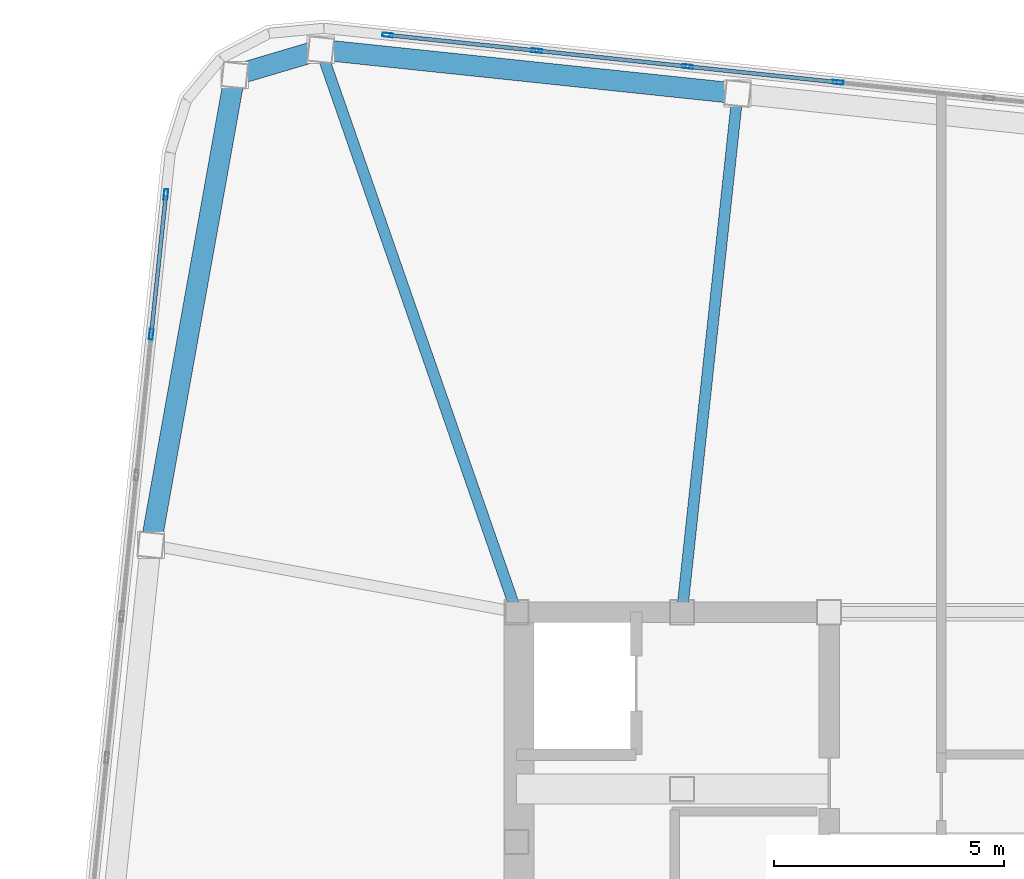
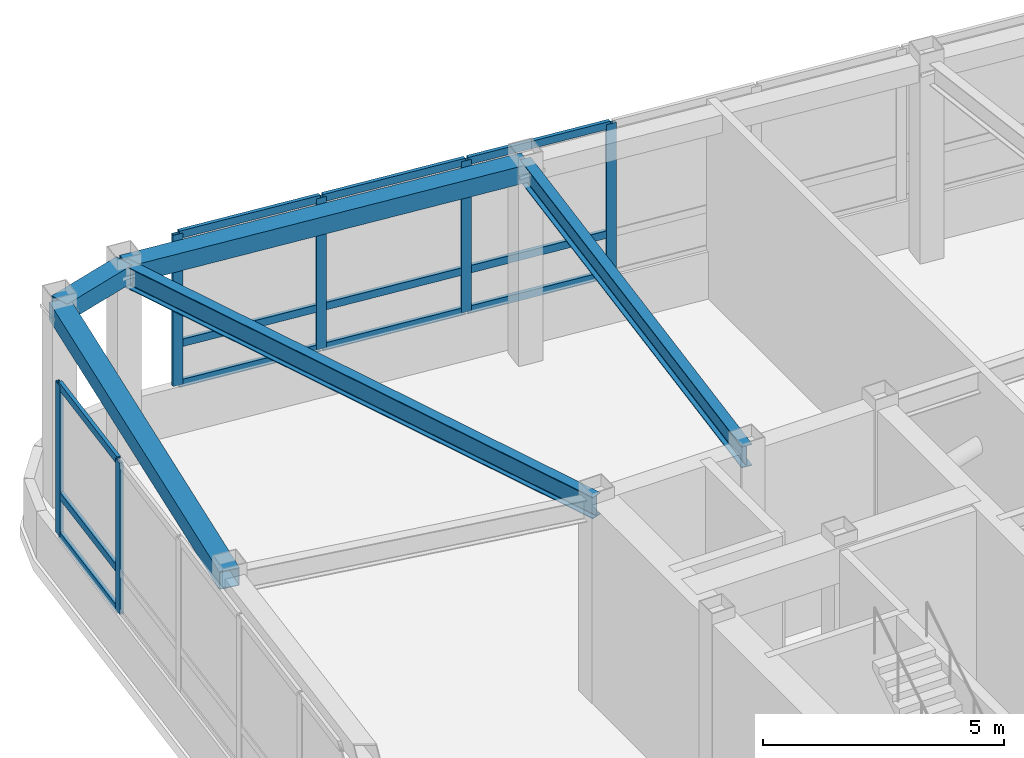
# One storey, part 14 of 23: 18 members, 5 beams, 2 elements without a shape of their own.
"""IFC4 building model written with IfcOpenShell, lengths in metres."""

from ifc_helpers import new_model, si_unit, direction, frame, origin, origin_2d, place, context, subcontext, project, spatial, hollow_rectangle, i_section, extrude, material, layer, layer_set, material_profile, profile_set, type_object, element, aggregate, save


model = new_model("IFC4")

# Units and contexts
model_context = context("Model", 3, precision=1e-05, world=origin(), true_north=direction((0.0, 1.0)))
body_context = subcontext(model_context, "Body", "Model", "MODEL_VIEW")
ifc_project = project(units=[si_unit("LENGTHUNIT", "METRE"), si_unit("AREAUNIT", "SQUARE_METRE"), si_unit("VOLUMEUNIT", "CUBIC_METRE"), si_unit("PLANEANGLEUNIT", "RADIAN"), si_unit("MASSUNIT", "GRAM", prefix="KILO")], contexts=[model_context])

# Site, building, storey
site_placement = place(None, origin())
site = spatial("IfcSite", under=ifc_project, at=site_placement, CompositionType="ELEMENT")
building_placement = place(site_placement, origin())
building = spatial("IfcBuilding", under=site, at=building_placement, Name="Voryun Gate Residences", CompositionType="ELEMENT")
storey_placement = place(building_placement, frame((0.0, 0.0, 331.89990234375)))
storey = spatial("IfcBuildingStorey", under=building, at=storey_placement, Name="L81", CompositionType="ELEMENT", Elevation=331.89990234375)

# Beams
ifc_material_1 = material(Name="Steel SM355", Category="steel")
ifc_material_profile_1 = material_profile(ifc_material_1, hollow_rectangle(XDim=0.449951171875, YDim=0.449951171875, WallThickness=0.01806640625, at=origin_2d()), Name="BOX-450x450x18")
ifc_profile_set_1 = profile_set([ifc_material_profile_1], Name="Steel SM355")
beam_type_1 = type_object("IfcBeamType", Name="BM_CROWN_RING", PredefinedType="BEAM", material=ifc_profile_set_1)
beam_1_placement = place(storey_placement, frame((-14.3916015625, 18.684814453125, 4.800048828125), z_axis=(-0.994520844313, 0.104538462908, 0.0), x_axis=(-0.104538462908, -0.994520844313, 0.0)))
element("IfcBeam", 1, at=beam_1_placement, inside=storey, type_object=beam_type_1, Name="BM-L81-SPAND-15", PredefinedType="BEAM", context=body_context, shape_type="SweptSolid", body=[
    extrude(hollow_rectangle(XDim=0.449951171875, YDim=0.449951171875, WallThickness=0.01806640625, at=origin_2d()), origin(), (0.0, 0.0, 1.0), 9.119873046875),
])
beam_2_placement = place(storey_placement, frame((-23.46142578125, 19.63818359375, 4.800048828125), z_axis=(-0.958835963288, -0.283960552728, 0.0), x_axis=(0.283960552728, -0.958835963288, 0.0)))
element("IfcBeam", 2, at=beam_2_placement, inside=storey, type_object=beam_type_1, Name="BM-L81-SPAND-16", PredefinedType="BEAM", context=body_context, shape_type="SweptSolid", body=[
    extrude(hollow_rectangle(XDim=0.449951171875, YDim=0.449951171875, WallThickness=0.01806640625, at=origin_2d()), origin(), (0.0, 0.0, 1.0), 1.95166015625),
])
beam_3_placement = place(storey_placement, frame((-25.332763671875, 19.083984375, 4.800048828125), z_axis=(-0.175791452213, -0.984427430199, 0.0), x_axis=(0.984427430199, -0.175791452213, 0.0)))
element("IfcBeam", 3, at=beam_3_placement, inside=storey, type_object=beam_type_1, Name="BM-L81-SPAND-17", PredefinedType="BEAM", context=body_context, shape_type="SweptSolid", body=[
    extrude(hollow_rectangle(XDim=0.449951171875, YDim=0.449951171875, WallThickness=0.01806640625, at=origin_2d()), origin(), (0.0, 0.0, 1.0), 10.384033203125),
])
ifc_material_2 = material(Name="Steel SM355", Category="steel")
ifc_material_profile_2 = material_profile(ifc_material_2, i_section(OverallWidth=0.239990234375, OverallDepth=0.550048828125, WebThickness=0.011962890625, FlangeThickness=0.02001953125, FilletRadius=0.01806640625, at=origin_2d()), Name="H-550x240x12x20")
ifc_profile_set_2 = profile_set([ifc_material_profile_2], Name="Steel SM355")
beam_type_2 = type_object("IfcBeamType", Name="BM_GIRD_550", PredefinedType="USERDEFINED", material=ifc_profile_set_2)
beam_4_placement = place(storey_placement, frame((-15.60009765625, 7.39990234375, 4.75), z_axis=(0.106480715232, 0.994314767709, 0.0), x_axis=(-0.994314767709, 0.106480715232, 0.0)))
element("IfcBeam", 4, at=beam_4_placement, inside=storey, type_object=beam_type_2, Name="BM-L81-RAD-N5", ObjectType="GIRDER", PredefinedType="USERDEFINED", context=body_context, shape_type="SweptSolid", body=[
    extrude(i_section(OverallWidth=0.239990234375, OverallDepth=0.550048828125, WebThickness=0.011962890625, FlangeThickness=0.02001953125, FilletRadius=0.01806640625, at=origin_2d()), origin(), (0.0, 0.0, 1.0), 11.349365234375),
])
beam_5_placement = place(storey_placement, frame((-19.199951171875, 7.39990234375, 4.75), z_axis=(-0.328842846436, 0.944384658043, 0.0), x_axis=(-0.944384658043, -0.328842846436, 0.0)))
element("IfcBeam", 5, at=beam_5_placement, inside=storey, type_object=beam_type_2, Name="BM-L81-RAD-N6", ObjectType="GIRDER", PredefinedType="USERDEFINED", context=body_context, shape_type="SweptSolid", body=[
    extrude(i_section(OverallWidth=0.239990234375, OverallDepth=0.550048828125, WebThickness=0.011962890625, FlangeThickness=0.02001953125, FilletRadius=0.01806640625, at=origin_2d()), origin(), (0.0, 0.0, 1.0), 12.958984375),
])

# Curtain wall, members
ifc_material_3 = material(Name="Anodised aluminium", Category="aluminium")
ifc_layer = layer(ifc_material_3, 0.22998046875, Name="CW_SYS_LANTERN_DARK_GLASS")
ifc_layer_set = layer_set([ifc_layer], Name="Anodised aluminium")
curtain_wall_type = type_object("IfcCurtainWallType", Name="CW_SYS_LANTERN_DARK_GLASS", PredefinedType="NOTDEFINED", material=ifc_layer_set)
curtain_wall_1_placement = place(storey_placement, origin())
curtain_wall_1 = element("IfcCurtainWall", 6, at=curtain_wall_1_placement, inside=storey, type_object=curtain_wall_type, Name="Curtain wall CW6-L81-06", PredefinedType="NOTDEFINED")
ifc_material_4 = material(Name="Anodised aluminium", Category="aluminium")
ifc_material_profile_3 = material_profile(ifc_material_4, hollow_rectangle(XDim=0.0849609375, YDim=0.22998046875, WallThickness=0.006103515625, at=origin_2d()), Name="ALU-MULL-230x85x6")
ifc_profile_set_3 = profile_set([ifc_material_profile_3], Name="Anodised aluminium")
member_type_1 = type_object("IfcMemberType", Name="CW_MULL_LANT", PredefinedType="MULLION", material=ifc_profile_set_3)
member_1_placement = place(storey_placement, frame((-27.14892578125, 13.447265625, 1.190185546875), z_axis=(0.0, 0.0, 1.0), x_axis=(-0.994521943608, 0.104528004296, 0.0)))
member_1 = element("IfcMember", 7, at=member_1_placement, type_object=member_type_1, Name="CW6 mullion 9", PredefinedType="MULLION", context=body_context, shape_type="SweptSolid", body=[
    extrude(hollow_rectangle(XDim=0.0849609375, YDim=0.22998046875, WallThickness=0.006103515625, at=origin_2d()), origin(), (0.0, 0.0, 1.0), 3.8349609375),
])
member_2_placement = place(storey_placement, frame((-26.829345703125, 16.48828125, 1.190185546875), z_axis=(0.0, 0.0, 1.0), x_axis=(-0.994521943608, 0.104528004296, 0.0)))
member_2 = element("IfcMember", 8, at=member_2_placement, type_object=member_type_1, Name="CW6 mullion 10", PredefinedType="MULLION", context=body_context, shape_type="SweptSolid", body=[
    extrude(hollow_rectangle(XDim=0.0849609375, YDim=0.22998046875, WallThickness=0.006103515625, at=origin_2d()), origin(), (0.0, 0.0, 1.0), 3.8349609375),
])

curtain_wall_2_placement = place(storey_placement, origin())
curtain_wall_2 = element("IfcCurtainWall", 9, at=curtain_wall_2_placement, inside=storey, type_object=curtain_wall_type, Name="Curtain wall CW6-L81-11", PredefinedType="NOTDEFINED")
member_3_placement = place(storey_placement, frame((-22.005615234375, 19.957763671875, 1.190185546875), z_axis=(0.0, 0.0, 1.0), x_axis=(0.10452775858, 0.994521969434, 0.0)))
member_3 = element("IfcMember", 10, at=member_3_placement, type_object=member_type_1, Name="CW6 mullion 1", PredefinedType="MULLION", context=body_context, shape_type="SweptSolid", body=[
    extrude(hollow_rectangle(XDim=0.0849609375, YDim=0.22998046875, WallThickness=0.006103515625, at=origin_2d()), origin(), (0.0, 0.0, 1.0), 3.8349609375),
])
member_4_placement = place(storey_placement, frame((-18.7587890625, 19.616455078125, 1.190185546875), z_axis=(0.0, 0.0, 1.0), x_axis=(0.10452775858, 0.994521969434, 0.0)))
member_4 = element("IfcMember", 11, at=member_4_placement, type_object=member_type_1, Name="CW6 mullion 2", PredefinedType="MULLION", context=body_context, shape_type="SweptSolid", body=[
    extrude(hollow_rectangle(XDim=0.0849609375, YDim=0.22998046875, WallThickness=0.006103515625, at=origin_2d()), origin(), (0.0, 0.0, 1.0), 3.8349609375),
])
member_5_placement = place(storey_placement, frame((-15.482177734375, 19.272216796875, 1.190185546875), z_axis=(0.0, 0.0, 1.0), x_axis=(0.10452775858, 0.994521969434, 0.0)))
member_5 = element("IfcMember", 12, at=member_5_placement, type_object=member_type_1, Name="CW6 mullion 3", PredefinedType="MULLION", context=body_context, shape_type="SweptSolid", body=[
    extrude(hollow_rectangle(XDim=0.0849609375, YDim=0.22998046875, WallThickness=0.006103515625, at=origin_2d()), origin(), (0.0, 0.0, 1.0), 3.8349609375),
])
member_6_placement = place(storey_placement, frame((-12.20556640625, 18.927734375, 1.190185546875), z_axis=(0.0, 0.0, 1.0), x_axis=(0.10452775858, 0.994521969434, 0.0)))
member_6 = element("IfcMember", 13, at=member_6_placement, type_object=member_type_1, Name="CW6 mullion 4", PredefinedType="MULLION", context=body_context, shape_type="SweptSolid", body=[
    extrude(hollow_rectangle(XDim=0.0849609375, YDim=0.22998046875, WallThickness=0.006103515625, at=origin_2d()), origin(), (0.0, 0.0, 1.0), 3.8349609375),
])

# Member
ifc_material_5 = material(Name="Anodised aluminium", Category="aluminium")
ifc_material_profile_4 = material_profile(ifc_material_5, hollow_rectangle(XDim=0.0849609375, YDim=0.18994140625, WallThickness=0.006103515625, at=origin_2d()), Name="ALU-TRAN-190x85x6")
ifc_profile_set_4 = profile_set([ifc_material_profile_4], Name="Anodised aluminium")
member_type_2 = type_object("IfcMemberType", Name="CW_TRAN_LANT", PredefinedType="USERDEFINED", material=ifc_profile_set_4)
member_7_placement = place(storey_placement, frame((-27.145751953125, 13.47705078125, 1.22021484375), z_axis=(0.104566085446, 0.994517940398, 0.0), x_axis=(-0.994517940398, 0.104566085446, 0.0)))
member_7 = element("IfcMember", 14, at=member_7_placement, type_object=member_type_2, Name="CW6 transom 9.1", ObjectType="TRANSOM", PredefinedType="USERDEFINED", context=body_context, shape_type="SweptSolid", body=[
    extrude(hollow_rectangle(XDim=0.0849609375, YDim=0.18994140625, WallThickness=0.006103515625, at=origin_2d()), origin(), (0.0, 0.0, 1.0), 2.997802734375),
])

member_8_placement = place(storey_placement, frame((-27.145751953125, 13.47705078125, 2.239990234375), z_axis=(0.104566085446, 0.994517940398, 0.0), x_axis=(-0.994517940398, 0.104566085446, 0.0)))
member_8 = element("IfcMember", 15, at=member_8_placement, type_object=member_type_2, Name="CW6 transom 9.2", ObjectType="TRANSOM", PredefinedType="USERDEFINED", context=body_context, shape_type="SweptSolid", body=[
    extrude(hollow_rectangle(XDim=0.0849609375, YDim=0.18994140625, WallThickness=0.006103515625, at=origin_2d()), origin(), (0.0, 0.0, 1.0), 2.997802734375),
])

member_9_placement = place(storey_placement, frame((-27.145751953125, 13.47705078125, 4.9951171875), z_axis=(0.104566085446, 0.994517940398, 0.0), x_axis=(-0.994517940398, 0.104566085446, 0.0)))
member_9 = element("IfcMember", 16, at=member_9_placement, type_object=member_type_2, Name="CW6 transom 9.3", ObjectType="TRANSOM", PredefinedType="USERDEFINED", context=body_context, shape_type="SweptSolid", body=[
    extrude(hollow_rectangle(XDim=0.0849609375, YDim=0.18994140625, WallThickness=0.006103515625, at=origin_2d()), origin(), (0.0, 0.0, 1.0), 2.997802734375),
])

aggregate(curtain_wall_1, [member_1, member_2, member_7, member_8, member_9])

member_10_placement = place(storey_placement, frame((-21.975830078125, 19.95458984375, 1.22021484375), z_axis=(0.994522970689, -0.104518231772, 0.0), x_axis=(0.104518231772, 0.994522970689, 0.0)))
member_10 = element("IfcMember", 17, at=member_10_placement, type_object=member_type_2, Name="CW6 transom 1.1", ObjectType="TRANSOM", PredefinedType="USERDEFINED", context=body_context, shape_type="SweptSolid", body=[
    extrude(hollow_rectangle(XDim=0.0849609375, YDim=0.18994140625, WallThickness=0.006103515625, at=origin_2d()), origin(), (0.0, 0.0, 1.0), 3.204833984375),
])

member_11_placement = place(storey_placement, frame((-21.975830078125, 19.95458984375, 2.239990234375), z_axis=(0.994522970689, -0.104518231772, 0.0), x_axis=(0.104518231772, 0.994522970689, 0.0)))
member_11 = element("IfcMember", 18, at=member_11_placement, type_object=member_type_2, Name="CW6 transom 1.2", ObjectType="TRANSOM", PredefinedType="USERDEFINED", context=body_context, shape_type="SweptSolid", body=[
    extrude(hollow_rectangle(XDim=0.0849609375, YDim=0.18994140625, WallThickness=0.006103515625, at=origin_2d()), origin(), (0.0, 0.0, 1.0), 3.204833984375),
])

member_12_placement = place(storey_placement, frame((-21.975830078125, 19.95458984375, 4.9951171875), z_axis=(0.994522970689, -0.104518231772, 0.0), x_axis=(0.104518231772, 0.994522970689, 0.0)))
member_12 = element("IfcMember", 19, at=member_12_placement, type_object=member_type_2, Name="CW6 transom 1.3", ObjectType="TRANSOM", PredefinedType="USERDEFINED", context=body_context, shape_type="SweptSolid", body=[
    extrude(hollow_rectangle(XDim=0.0849609375, YDim=0.18994140625, WallThickness=0.006103515625, at=origin_2d()), origin(), (0.0, 0.0, 1.0), 3.204833984375),
])

member_13_placement = place(storey_placement, frame((-18.72900390625, 19.61328125, 1.22021484375), z_axis=(0.994521569819, -0.104531560613, 0.0), x_axis=(0.104531560613, 0.994521569819, 0.0)))
member_13 = element("IfcMember", 20, at=member_13_placement, type_object=member_type_2, Name="CW6 transom 2.1", ObjectType="TRANSOM", PredefinedType="USERDEFINED", context=body_context, shape_type="SweptSolid", body=[
    extrude(hollow_rectangle(XDim=0.0849609375, YDim=0.18994140625, WallThickness=0.006103515625, at=origin_2d()), origin(), (0.0, 0.0, 1.0), 3.23486328125),
])

member_14_placement = place(storey_placement, frame((-18.72900390625, 19.61328125, 2.239990234375), z_axis=(0.994521569819, -0.104531560613, 0.0), x_axis=(0.104531560613, 0.994521569819, 0.0)))
member_14 = element("IfcMember", 21, at=member_14_placement, type_object=member_type_2, Name="CW6 transom 2.2", ObjectType="TRANSOM", PredefinedType="USERDEFINED", context=body_context, shape_type="SweptSolid", body=[
    extrude(hollow_rectangle(XDim=0.0849609375, YDim=0.18994140625, WallThickness=0.006103515625, at=origin_2d()), origin(), (0.0, 0.0, 1.0), 3.23486328125),
])

member_15_placement = place(storey_placement, frame((-18.72900390625, 19.61328125, 4.9951171875), z_axis=(0.994521569819, -0.104531560613, 0.0), x_axis=(0.104531560613, 0.994521569819, 0.0)))
member_15 = element("IfcMember", 22, at=member_15_placement, type_object=member_type_2, Name="CW6 transom 2.3", ObjectType="TRANSOM", PredefinedType="USERDEFINED", context=body_context, shape_type="SweptSolid", body=[
    extrude(hollow_rectangle(XDim=0.0849609375, YDim=0.18994140625, WallThickness=0.006103515625, at=origin_2d()), origin(), (0.0, 0.0, 1.0), 3.23486328125),
])

member_16_placement = place(storey_placement, frame((-15.452392578125, 19.26904296875, 1.22021484375), z_axis=(0.994521569819, -0.104531560613, 0.0), x_axis=(0.104531560613, 0.994521569819, 0.0)))
member_16 = element("IfcMember", 23, at=member_16_placement, type_object=member_type_2, Name="CW6 transom 3.1", ObjectType="TRANSOM", PredefinedType="USERDEFINED", context=body_context, shape_type="SweptSolid", body=[
    extrude(hollow_rectangle(XDim=0.0849609375, YDim=0.18994140625, WallThickness=0.006103515625, at=origin_2d()), origin(), (0.0, 0.0, 1.0), 3.23486328125),
])

member_17_placement = place(storey_placement, frame((-15.452392578125, 19.26904296875, 2.239990234375), z_axis=(0.994521569819, -0.104531560613, 0.0), x_axis=(0.104531560613, 0.994521569819, 0.0)))
member_17 = element("IfcMember", 24, at=member_17_placement, type_object=member_type_2, Name="CW6 transom 3.2", ObjectType="TRANSOM", PredefinedType="USERDEFINED", context=body_context, shape_type="SweptSolid", body=[
    extrude(hollow_rectangle(XDim=0.0849609375, YDim=0.18994140625, WallThickness=0.006103515625, at=origin_2d()), origin(), (0.0, 0.0, 1.0), 3.23486328125),
])

member_18_placement = place(storey_placement, frame((-15.452392578125, 19.26904296875, 4.9951171875), z_axis=(0.994521569819, -0.104531560613, 0.0), x_axis=(0.104531560613, 0.994521569819, 0.0)))
member_18 = element("IfcMember", 25, at=member_18_placement, type_object=member_type_2, Name="CW6 transom 3.3", ObjectType="TRANSOM", PredefinedType="USERDEFINED", context=body_context, shape_type="SweptSolid", body=[
    extrude(hollow_rectangle(XDim=0.0849609375, YDim=0.18994140625, WallThickness=0.006103515625, at=origin_2d()), origin(), (0.0, 0.0, 1.0), 3.23486328125),
])

aggregate(curtain_wall_2, [member_3, member_4, member_5, member_6, member_10, member_11, member_12, member_13, member_14, member_15, member_16, member_17, member_18])

save(model, "model.ifc")
